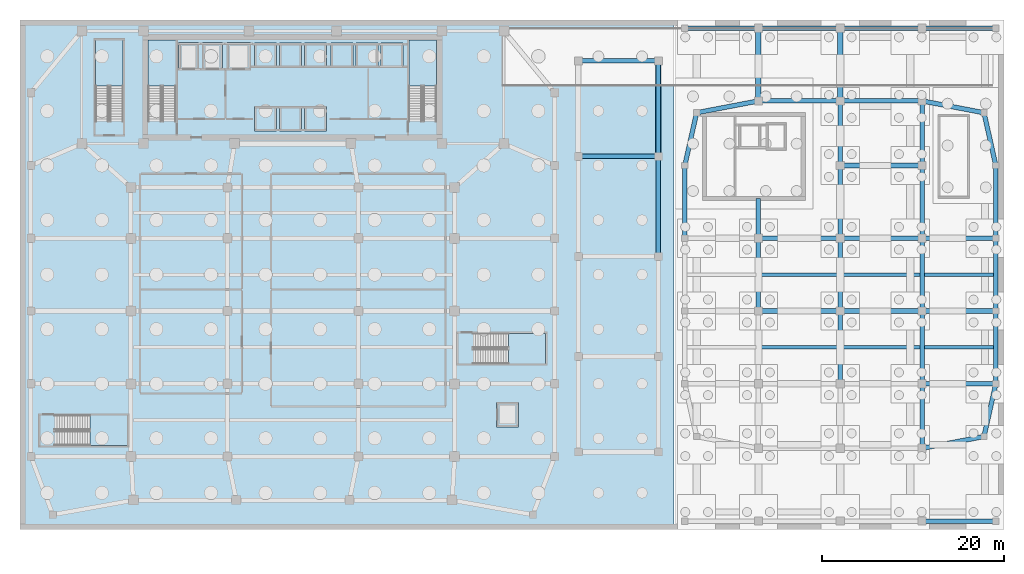
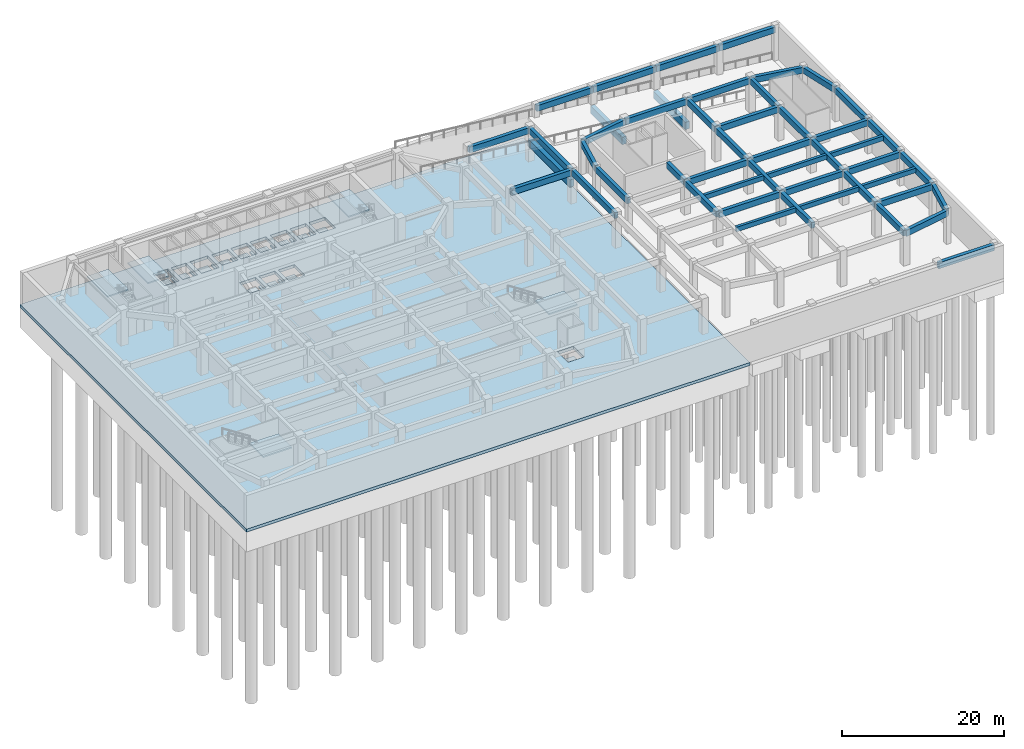
# One storey, part 5 of 18: 49 beams, 19 slabs, 5 elements without a shape of their own.
"""IFC4 building model written with IfcOpenShell, lengths in metres."""

from ifc_helpers import new_model, si_unit, direction, frame, origin, origin_2d, place, context, subcontext, project, spatial, polyline, rectangle, outline, extrude, material, layer, layer_set, material_profile, profile_set, type_object, element, aggregate, save


model = new_model("IFC4")

# Units and contexts
model_context = context("Model", 3, precision=1e-05, world=origin(), true_north=direction((0.0, 1.0)))
body_context = subcontext(model_context, "Body", "Model", "MODEL_VIEW")
ifc_project = project(units=[si_unit("LENGTHUNIT", "METRE"), si_unit("AREAUNIT", "SQUARE_METRE"), si_unit("VOLUMEUNIT", "CUBIC_METRE"), si_unit("PLANEANGLEUNIT", "RADIAN"), si_unit("MASSUNIT", "GRAM", prefix="KILO")], contexts=[model_context])

# Site, building, storey
site_placement = place(None, origin())
site = spatial("IfcSite", under=ifc_project, at=site_placement, CompositionType="ELEMENT")
building_placement = place(site_placement, origin())
building = spatial("IfcBuilding", under=site, at=building_placement, Name="Saevonmaru Cultural Tower", CompositionType="ELEMENT")
storey_placement = place(building_placement, frame((0.0, 0.0, -10.800048828125)))
storey = spatial("IfcBuildingStorey", under=building, at=storey_placement, Name="B2", CompositionType="ELEMENT", Elevation=-10.800048828125)

# Beams
ifc_material_1 = material(Name="Concrete C60/75", Category="concrete")
ifc_material_profile_1 = material_profile(ifc_material_1, rectangle(XDim=0.60009765625, YDim=1.10009765625, at=origin_2d()), Name="RC-CB-600x1100")
ifc_profile_set_1 = profile_set([ifc_material_profile_1], Name="Concrete C60/75")
beam_type_1 = type_object("IfcBeamType", Name="BM-CB-RC600x1100", PredefinedType="LINTEL", material=ifc_profile_set_1)
beam_1_placement = place(storey_placement, frame((70.199951171875, 41.06005859375, 2.780029296875), z_axis=(0.0, 1.0, 0.0), x_axis=(-1.0, 0.0, 0.0)))
element("IfcBeam", 1, at=beam_1_placement, inside=storey, type_object=beam_type_1, Name="B2 Vehicle Ramp VR-2 Transverse Support Girder 2", PredefinedType="LINTEL", context=body_context, shape_type="SweptSolid", body=[
    extrude(rectangle(XDim=0.60009765625, YDim=1.10009765625, at=origin_2d()), origin(), (0.0, 0.0, 1.0), 10.3798828125),
])
for number, where, z_axis, x_axis, name in (
    (2, (81.199951171875, 47.159912109375, 1.679931640625), (0.0, 1.0, 0.0), (-1.0, 0.0, 0.0), "B2 Vehicle Ramp VR-2 Transverse Support Girder 3"),
    (3, (90.199951171875, 47.159912109375, 0.780029296875), (0.0, 1.0, 0.0), (-1.0, 0.0, 0.0), "B2 Vehicle Ramp VR-2 Transverse Support Girder 4"),
):
    element("IfcBeam", number, at=place(storey_placement, frame(where, z_axis=z_axis, x_axis=x_axis)), inside=storey, type_object=beam_type_1, Name=name, PredefinedType="LINTEL", context=body_context, shape_type="SweptSolid", body=[
        extrude(rectangle(XDim=0.60009765625, YDim=1.10009765625, at=origin_2d()), origin(), (0.0, 0.0, 1.0), 7.880126953125),
    ])
ifc_material_2 = material(Name="Concrete C40/50", Category="concrete")
ifc_material_profile_2 = material_profile(ifc_material_2, rectangle(XDim=0.39990234375, YDim=0.699951171875, at=origin_2d()), Name="RC-BM-400x700")
ifc_profile_set_2 = profile_set([ifc_material_profile_2], Name="Concrete C40/50")
beam_type_2 = type_object("IfcBeamType", Name="BM-RC-400x700", PredefinedType="BEAM", material=ifc_profile_set_2)
for number, where, z_axis, x_axis, name in (
    (4, (81.4580078125, 20.0, 4.699951171875), (1.0, 0.0, 0.0), (0.0, 1.0, 0.0), "B2 Library Joist J-2-2"),
    (5, (90.4580078125, 20.0, 4.699951171875), (1.0, 0.0, 0.0), (0.0, 1.0, 0.0), "B2 Library Joist J-2-3"),
):
    element("IfcBeam", number, at=place(storey_placement, frame(where, z_axis=z_axis, x_axis=x_axis)), inside=storey, type_object=beam_type_2, Name=name, PredefinedType="BEAM", context=body_context, shape_type="SweptSolid", body=[
        extrude(rectangle(XDim=0.39990234375, YDim=0.699951171875, at=origin_2d()), origin(), (0.0, 0.0, 1.0), 8.48388671875),
    ])
beam_2_placement = place(storey_placement, frame((99.4580078125, 20.0, 4.699951171875), z_axis=(1.0, 0.0, 0.0), x_axis=(0.0, 1.0, 0.0)))
element("IfcBeam", 6, at=beam_2_placement, inside=storey, type_object=beam_type_2, Name="B2 Library Joist J-2-4", PredefinedType="BEAM", context=body_context, shape_type="SweptSolid", body=[
    extrude(rectangle(XDim=0.39990234375, YDim=0.699951171875, at=origin_2d()), origin(), (0.0, 0.0, 1.0), 7.583984375),
])
for number, where, z_axis, x_axis, name in (
    (7, (81.4580078125, 28.0, 4.699951171875), (1.0, 0.0, 0.0), (0.0, 1.0, 0.0), "B2 Library Joist J-3-2"),
    (8, (90.4580078125, 28.0, 4.699951171875), (1.0, 0.0, 0.0), (0.0, 1.0, 0.0), "B2 Library Joist J-3-3"),
):
    element("IfcBeam", number, at=place(storey_placement, frame(where, z_axis=z_axis, x_axis=x_axis)), inside=storey, type_object=beam_type_2, Name=name, PredefinedType="BEAM", context=body_context, shape_type="SweptSolid", body=[
        extrude(rectangle(XDim=0.39990234375, YDim=0.699951171875, at=origin_2d()), origin(), (0.0, 0.0, 1.0), 8.48388671875),
    ])
beam_3_placement = place(storey_placement, frame((99.4580078125, 28.0, 4.699951171875), z_axis=(1.0, 0.0, 0.0), x_axis=(0.0, 1.0, 0.0)))
element("IfcBeam", 9, at=beam_3_placement, inside=storey, type_object=beam_type_2, Name="B2 Library Joist J-3-4", PredefinedType="BEAM", context=body_context, shape_type="SweptSolid", body=[
    extrude(rectangle(XDim=0.39990234375, YDim=0.699951171875, at=origin_2d()), origin(), (0.0, 0.0, 1.0), 7.583984375),
])
ifc_material_3 = material(Name="Concrete C50/60", Category="concrete")
ifc_material_profile_3 = material_profile(ifc_material_3, rectangle(XDim=0.5, YDim=0.89990234375, at=origin_2d()), Name="RC-BM-500x900")
ifc_profile_set_3 = profile_set([ifc_material_profile_3], Name="Concrete C50/60")
beam_type_3 = type_object("IfcBeamType", Name="BM-RC-500x900", PredefinedType="BEAM", material=ifc_profile_set_3)
beam_4_placement = place(storey_placement, frame((70.199951171875, 30.06005859375, 4.60009765625), z_axis=(0.0, 1.0, 0.0), x_axis=(-1.0, 0.0, 0.0)))
element("IfcBeam", 10, at=beam_4_placement, inside=storey, type_object=beam_type_3, Name="BM-PLZ-NSE-3-B2", PredefinedType="BEAM", context=body_context, shape_type="SweptSolid", body=[
    extrude(rectangle(XDim=0.5, YDim=0.89990234375, at=origin_2d()), origin(), (0.0, 0.0, 1.0), 10.8798828125),
])
beam_5_placement = place(storey_placement, frame((61.4599609375, 41.0, 4.60009765625), z_axis=(1.0, 0.0, 0.0), x_axis=(0.0, 1.0, 0.0)))
element("IfcBeam", 11, at=beam_5_placement, inside=storey, type_object=beam_type_3, Name="BM-PLZ-EW-4-B2", PredefinedType="BEAM", context=body_context, shape_type="SweptSolid", body=[
    extrude(rectangle(XDim=0.5, YDim=0.89990234375, at=origin_2d()), origin(), (0.0, 0.0, 1.0), 8.679931640625),
])
beam_6_placement = place(storey_placement, frame((70.199951171875, 41.06005859375, 4.60009765625), z_axis=(0.0, 1.0, 0.0), x_axis=(-1.0, 0.0, 0.0)))
element("IfcBeam", 12, at=beam_6_placement, inside=storey, type_object=beam_type_3, Name="BM-PLZ-NSE-4-B2", PredefinedType="BEAM", context=body_context, shape_type="SweptSolid", body=[
    extrude(rectangle(XDim=0.5, YDim=0.89990234375, at=origin_2d()), origin(), (0.0, 0.0, 1.0), 10.3798828125),
])
beam_7_placement = place(storey_placement, frame((61.4599609375, 51.5, 4.60009765625), z_axis=(1.0, 0.0, 0.0), x_axis=(0.0, 1.0, 0.0)))
element("IfcBeam", 13, at=beam_7_placement, inside=storey, type_object=beam_type_3, Name="BM-PLZ-EW-5-B2", PredefinedType="BEAM", context=body_context, shape_type="SweptSolid", body=[
    extrude(rectangle(XDim=0.5, YDim=0.89990234375, at=origin_2d()), origin(), (0.0, 0.0, 1.0), 8.679931640625),
])
beam_8_placement = place(storey_placement, frame((99.2587890625, 8.911376953125, 4.60009765625), z_axis=(0.982216489393, 0.187751878722, 0.0), x_axis=(-0.187751878722, 0.982216489393, 0.0)))
element("IfcBeam", 14, at=beam_8_placement, inside=storey, type_object=beam_type_3, Name="B2 Library Girder EW-1-4", PredefinedType="BEAM", context=body_context, shape_type="SweptSolid", body=[
    extrude(rectangle(XDim=0.5, YDim=0.89990234375, at=origin_2d()), origin(), (0.0, 0.0, 1.0), 6.803466796875),
])
beam_9_placement = place(storey_placement, frame((99.260009765625, 16.0, 4.60009765625), z_axis=(1.0, 0.0, 0.0), x_axis=(0.0, 1.0, 0.0)))
element("IfcBeam", 15, at=beam_9_placement, inside=storey, type_object=beam_type_3, Name="B2 Library Girder EW-2-4", PredefinedType="BEAM", context=body_context, shape_type="SweptSolid", body=[
    extrude(rectangle(XDim=0.5, YDim=0.89990234375, at=origin_2d()), origin(), (0.0, 0.0, 1.0), 7.97998046875),
])
for number, where, z_axis, x_axis, name in (
    (16, (81.260009765625, 24.0, 4.60009765625), (1.0, 0.0, 0.0), (0.0, 1.0, 0.0), "B2 Library Girder EW-3-2"),
    (17, (90.260009765625, 24.0, 4.60009765625), (1.0, 0.0, 0.0), (0.0, 1.0, 0.0), "B2 Library Girder EW-3-3"),
):
    element("IfcBeam", number, at=place(storey_placement, frame(where, z_axis=z_axis, x_axis=x_axis)), inside=storey, type_object=beam_type_3, Name=name, PredefinedType="BEAM", context=body_context, shape_type="SweptSolid", body=[
        extrude(rectangle(XDim=0.5, YDim=0.89990234375, at=origin_2d()), origin(), (0.0, 0.0, 1.0), 8.8798828125),
    ])
beam_10_placement = place(storey_placement, frame((99.260009765625, 24.0, 4.60009765625), z_axis=(1.0, 0.0, 0.0), x_axis=(0.0, 1.0, 0.0)))
element("IfcBeam", 18, at=beam_10_placement, inside=storey, type_object=beam_type_3, Name="B2 Library Girder EW-3-4", PredefinedType="BEAM", context=body_context, shape_type="SweptSolid", body=[
    extrude(rectangle(XDim=0.5, YDim=0.89990234375, at=origin_2d()), origin(), (0.0, 0.0, 1.0), 7.97998046875),
])
for number, where, z_axis, x_axis, name in (
    (19, (81.260009765625, 32.0, 4.60009765625), (1.0, 0.0, 0.0), (0.0, 1.0, 0.0), "B2 Library Girder EW-4-2"),
    (20, (90.260009765625, 32.0, 4.60009765625), (1.0, 0.0, 0.0), (0.0, 1.0, 0.0), "B2 Library Girder EW-4-3"),
):
    element("IfcBeam", number, at=place(storey_placement, frame(where, z_axis=z_axis, x_axis=x_axis)), inside=storey, type_object=beam_type_3, Name=name, PredefinedType="BEAM", context=body_context, shape_type="SweptSolid", body=[
        extrude(rectangle(XDim=0.5, YDim=0.89990234375, at=origin_2d()), origin(), (0.0, 0.0, 1.0), 8.8798828125),
    ])
beam_11_placement = place(storey_placement, frame((99.260009765625, 32.0, 4.60009765625), z_axis=(1.0, 0.0, 0.0), x_axis=(0.0, 1.0, 0.0)))
element("IfcBeam", 21, at=beam_11_placement, inside=storey, type_object=beam_type_3, Name="B2 Library Girder EW-4-4", PredefinedType="BEAM", context=body_context, shape_type="SweptSolid", body=[
    extrude(rectangle(XDim=0.5, YDim=0.89990234375, at=origin_2d()), origin(), (0.0, 0.0, 1.0), 7.97998046875),
])
beam_12_placement = place(storey_placement, frame((90.260009765625, 40.0, 4.60009765625), z_axis=(1.0, 0.0, 0.0), x_axis=(0.0, 1.0, 0.0)))
element("IfcBeam", 22, at=beam_12_placement, inside=storey, type_object=beam_type_3, Name="B2 Library Girder EW-5-3", PredefinedType="BEAM", context=body_context, shape_type="SweptSolid", body=[
    extrude(rectangle(XDim=0.5, YDim=0.89990234375, at=origin_2d()), origin(), (0.0, 0.0, 1.0), 8.8798828125),
])
beam_13_placement = place(storey_placement, frame((74.458984375, 45.811279296875, 4.60009765625), z_axis=(0.982215224342, 0.187758496666, 0.0), x_axis=(-0.187758496666, 0.982215224342, 0.0)))
element("IfcBeam", 23, at=beam_13_placement, inside=storey, type_object=beam_type_3, Name="B2 Library Girder EW-6-1", PredefinedType="BEAM", context=body_context, shape_type="SweptSolid", body=[
    extrude(rectangle(XDim=0.5, YDim=0.89990234375, at=origin_2d()), origin(), (0.0, 0.0, 1.0), 6.80322265625),
])
for number, where, z_axis, x_axis, name in (
    (24, (81.260009765625, 47.10009765625, 4.60009765625), (1.0, 0.0, 0.0), (0.0, 1.0, 0.0), "B2 Library Girder EW-6-2"),
    (25, (90.260009765625, 47.10009765625, 4.60009765625), (1.0, 0.0, 0.0), (0.0, 1.0, 0.0), "B2 Library Girder EW-6-3"),
):
    element("IfcBeam", number, at=place(storey_placement, frame(where, z_axis=z_axis, x_axis=x_axis)), inside=storey, type_object=beam_type_3, Name=name, PredefinedType="BEAM", context=body_context, shape_type="SweptSolid", body=[
        extrude(rectangle(XDim=0.5, YDim=0.89990234375, at=origin_2d()), origin(), (0.0, 0.0, 1.0), 8.8798828125),
    ])
beam_14_placement = place(storey_placement, frame((99.2587890625, 47.088623046875, 4.60009765625), z_axis=(0.982216489393, -0.187751878722, 0.0), x_axis=(0.187751878722, 0.982216489393, 0.0)))
element("IfcBeam", 26, at=beam_14_placement, inside=storey, type_object=beam_type_3, Name="B2 Library Girder EW-6-4", PredefinedType="BEAM", context=body_context, shape_type="SweptSolid", body=[
    extrude(rectangle(XDim=0.5, YDim=0.89990234375, at=origin_2d()), origin(), (0.0, 0.0, 1.0), 6.803466796875),
])
beam_15_placement = place(storey_placement, frame((73.10009765625, 32.06005859375, 4.60009765625), z_axis=(0.0, 1.0, 0.0), x_axis=(-1.0, 0.0, 0.0)))
element("IfcBeam", 27, at=beam_15_placement, inside=storey, type_object=beam_type_3, Name="B2 Library Girder NS-1-4", PredefinedType="BEAM", context=body_context, shape_type="SweptSolid", body=[
    extrude(rectangle(XDim=0.5, YDim=0.89990234375, at=origin_2d()), origin(), (0.0, 0.0, 1.0), 7.8798828125),
])
beam_16_placement = place(storey_placement, frame((73.113037109375, 40.05859375, 4.60009765625), z_axis=(0.218741049138, 0.975782943806, 0.0), x_axis=(-0.975782943806, 0.218741049138, 0.0)))
element("IfcBeam", 28, at=beam_16_placement, inside=storey, type_object=beam_type_3, Name="B2 Library Girder NS-1-5", PredefinedType="BEAM", context=body_context, shape_type="SweptSolid", body=[
    extrude(rectangle(XDim=0.5, YDim=0.89990234375, at=origin_2d()), origin(), (0.0, 0.0, 1.0), 5.823974609375),
])
beam_17_placement = place(storey_placement, frame((81.199951171875, 24.06005859375, 4.60009765625), z_axis=(0.0, 1.0, 0.0), x_axis=(-1.0, 0.0, 0.0)))
element("IfcBeam", 29, at=beam_17_placement, inside=storey, type_object=beam_type_3, Name="B2 Library Girder NS-2-3", PredefinedType="BEAM", context=body_context, shape_type="SweptSolid", body=[
    extrude(rectangle(XDim=0.5, YDim=0.89990234375, at=origin_2d()), origin(), (0.0, 0.0, 1.0), 7.8798828125),
])
beam_18_placement = place(storey_placement, frame((81.199951171875, 32.06005859375, 4.60009765625), z_axis=(0.0, 1.0, 0.0), x_axis=(-1.0, 0.0, 0.0)))
element("IfcBeam", 30, at=beam_18_placement, inside=storey, type_object=beam_type_3, Name="B2 Library Core-Bearing Girder NS-2-4", PredefinedType="BEAM", context=body_context, shape_type="SweptSolid", body=[
    extrude(rectangle(XDim=0.5, YDim=0.89990234375, at=origin_2d()), origin(), (0.0, 0.0, 1.0), 4.2900390625),
])
for number, where, z_axis, x_axis, name in (
    (31, (90.199951171875, 16.06005859375, 4.60009765625), (0.0, 1.0, 0.0), (-1.0, 0.0, 0.0), "B2 Library Girder NS-3-2"),
    (32, (90.199951171875, 24.06005859375, 4.60009765625), (0.0, 1.0, 0.0), (-1.0, 0.0, 0.0), "B2 Library Girder NS-3-3"),
    (33, (90.199951171875, 32.06005859375, 4.60009765625), (0.0, 1.0, 0.0), (-1.0, 0.0, 0.0), "B2 Library Girder NS-3-4"),
):
    element("IfcBeam", number, at=place(storey_placement, frame(where, z_axis=z_axis, x_axis=x_axis)), inside=storey, type_object=beam_type_3, Name=name, PredefinedType="BEAM", context=body_context, shape_type="SweptSolid", body=[
        extrude(rectangle(XDim=0.5, YDim=0.89990234375, at=origin_2d()), origin(), (0.0, 0.0, 1.0), 7.8798828125),
    ])
for number, where, z_axis, x_axis, name in (
    (34, (90.199951171875, 40.06005859375, 4.60009765625), (0.0, 1.0, 0.0), (-1.0, 0.0, 0.0), "B2 Library Girder NS-3-5"),
    (35, (99.199951171875, 8.9599609375, 4.60009765625), (0.0, 1.0, 0.0), (-1.0, 0.0, 0.0), "B2 Library Girder NS-4-1"),
):
    element("IfcBeam", number, at=place(storey_placement, frame(where, z_axis=z_axis, x_axis=x_axis)), inside=storey, type_object=beam_type_3, Name=name, PredefinedType="BEAM", context=body_context, shape_type="SweptSolid", body=[
        extrude(rectangle(XDim=0.5, YDim=0.89990234375, at=origin_2d()), origin(), (0.0, 0.0, 1.0), 6.97998046875),
    ])
for number, where, z_axis, x_axis, name in (
    (36, (99.199951171875, 16.06005859375, 4.60009765625), (0.0, 1.0, 0.0), (-1.0, 0.0, 0.0), "B2 Library Girder NS-4-2"),
    (37, (99.199951171875, 24.06005859375, 4.60009765625), (0.0, 1.0, 0.0), (-1.0, 0.0, 0.0), "B2 Library Girder NS-4-3"),
    (38, (99.199951171875, 32.06005859375, 4.60009765625), (0.0, 1.0, 0.0), (-1.0, 0.0, 0.0), "B2 Library Girder NS-4-4"),
):
    element("IfcBeam", number, at=place(storey_placement, frame(where, z_axis=z_axis, x_axis=x_axis)), inside=storey, type_object=beam_type_3, Name=name, PredefinedType="BEAM", context=body_context, shape_type="SweptSolid", body=[
        extrude(rectangle(XDim=0.5, YDim=0.89990234375, at=origin_2d()), origin(), (0.0, 0.0, 1.0), 7.8798828125),
    ])
beam_19_placement = place(storey_placement, frame((99.199951171875, 40.06005859375, 4.60009765625), z_axis=(0.0, 1.0, 0.0), x_axis=(-1.0, 0.0, 0.0)))
element("IfcBeam", 39, at=beam_19_placement, inside=storey, type_object=beam_type_3, Name="B2 Library Girder NS-4-5", PredefinedType="BEAM", context=body_context, shape_type="SweptSolid", body=[
    extrude(rectangle(XDim=0.5, YDim=0.89990234375, at=origin_2d()), origin(), (0.0, 0.0, 1.0), 6.97998046875),
])
beam_20_placement = place(storey_placement, frame((106.01318359375, 10.258544921875, 4.60009765625), z_axis=(0.218701133908, 0.975791890737, 0.0), x_axis=(-0.975791890737, 0.218701133908, 0.0)))
element("IfcBeam", 40, at=beam_20_placement, inside=storey, type_object=beam_type_3, Name="B2 Library Girder NS-5-1", PredefinedType="BEAM", context=body_context, shape_type="SweptSolid", body=[
    extrude(rectangle(XDim=0.5, YDim=0.89990234375, at=origin_2d()), origin(), (0.0, 0.0, 1.0), 5.82373046875),
])
for number, where, z_axis, x_axis, name in (
    (41, (107.300048828125, 16.06005859375, 4.60009765625), (0.0, 1.0, 0.0), (-1.0, 0.0, 0.0), "B2 Library Girder NS-5-2"),
    (42, (107.300048828125, 24.06005859375, 4.60009765625), (0.0, 1.0, 0.0), (-1.0, 0.0, 0.0), "B2 Library Girder NS-5-3"),
    (43, (107.300048828125, 32.06005859375, 4.60009765625), (0.0, 1.0, 0.0), (-1.0, 0.0, 0.0), "B2 Library Girder NS-5-4"),
):
    element("IfcBeam", number, at=place(storey_placement, frame(where, z_axis=z_axis, x_axis=x_axis)), inside=storey, type_object=beam_type_3, Name=name, PredefinedType="BEAM", context=body_context, shape_type="SweptSolid", body=[
        extrude(rectangle(XDim=0.5, YDim=0.89990234375, at=origin_2d()), origin(), (0.0, 0.0, 1.0), 7.8798828125),
    ])
beam_21_placement = place(storey_placement, frame((107.286865234375, 40.05859375, 4.60009765625), z_axis=(-0.218701133908, 0.975791890737, 0.0), x_axis=(-0.975791890737, -0.218701133908, 0.0)))
element("IfcBeam", 44, at=beam_21_placement, inside=storey, type_object=beam_type_3, Name="B2 Library Girder NS-5-5", PredefinedType="BEAM", context=body_context, shape_type="SweptSolid", body=[
    extrude(rectangle(XDim=0.5, YDim=0.89990234375, at=origin_2d()), origin(), (0.0, 0.0, 1.0), 5.82373046875),
])
beam_22_placement = place(storey_placement, frame((73.159912109375, 55.10009765625, 4.60009765625), z_axis=(1.0, 0.0, 0.0), x_axis=(0.0, 1.0, 0.0)))
element("IfcBeam", 45, at=beam_22_placement, inside=storey, type_object=beam_type_3, Name="BM-BS-N-1-B2", PredefinedType="BEAM", context=body_context, shape_type="SweptSolid", body=[
    extrude(rectangle(XDim=0.5, YDim=0.89990234375, at=origin_2d()), origin(), (0.0, 0.0, 1.0), 7.97998046875),
])
for number, where, z_axis, x_axis, name in (
    (46, (81.260009765625, 55.10009765625, 4.60009765625), (1.0, 0.0, 0.0), (0.0, 1.0, 0.0), "BM-BS-N-2-B2"),
    (47, (90.260009765625, 55.10009765625, 4.60009765625), (1.0, 0.0, 0.0), (0.0, 1.0, 0.0), "BM-BS-N-3-B2"),
):
    element("IfcBeam", number, at=place(storey_placement, frame(where, z_axis=z_axis, x_axis=x_axis)), inside=storey, type_object=beam_type_3, Name=name, PredefinedType="BEAM", context=body_context, shape_type="SweptSolid", body=[
        extrude(rectangle(XDim=0.5, YDim=0.89990234375, at=origin_2d()), origin(), (0.0, 0.0, 1.0), 8.8798828125),
    ])
for number, where, z_axis, x_axis, name in (
    (48, (99.260009765625, 0.89990234375, 4.60009765625), (1.0, 0.0, 0.0), (0.0, 1.0, 0.0), "BM-BS-S-4-B2"),
    (49, (99.260009765625, 55.10009765625, 4.60009765625), (1.0, 0.0, 0.0), (0.0, 1.0, 0.0), "BM-BS-N-4-B2"),
):
    element("IfcBeam", number, at=place(storey_placement, frame(where, z_axis=z_axis, x_axis=x_axis)), inside=storey, type_object=beam_type_3, Name=name, PredefinedType="BEAM", context=body_context, shape_type="SweptSolid", body=[
        extrude(rectangle(XDim=0.5, YDim=0.89990234375, at=origin_2d()), origin(), (0.0, 0.0, 1.0), 7.97998046875),
    ])

# Slabs
ifc_layer_1 = layer(ifc_material_3, 0.449951171875, Name="Concrete C50/60")
ifc_layer_set_1 = layer_set([ifc_layer_1], Name="Concrete C50/60")
slab_type_1 = type_object("IfcSlabType", Name="SL-BASE-450", PredefinedType="BASESLAB", material=ifc_layer_set_1)
slab_1_placement = place(storey_placement, frame((0.0, 0.0, -0.449951171875)))
element("IfcSlab", 50, at=slab_1_placement, inside=storey, type_object=slab_type_1, Name="B2 Tower and Station Base Slab", PredefinedType="BASESLAB", context=body_context, shape_type="SweptSolid", body=[
    extrude(outline(polyline([(0.0, 0.0), (71.89990234375, 0.0), (71.89990234375, 56.0), (0.0, 56.0), (0.0, 0.0)]), holes=[polyline([(52.449951171875, 11.300048828125), (52.449951171875, 13.89990234375), (54.75, 13.89990234375), (54.75, 11.300048828125), (52.449951171875, 11.300048828125)]), polyline([(39.75, 50.800048828125), (39.75, 53.39990234375), (42.050048828125, 53.39990234375), (42.050048828125, 50.800048828125), (39.75, 50.800048828125)]), polyline([(37.0, 50.800048828125), (37.0, 53.39990234375), (39.300048828125, 53.39990234375), (39.300048828125, 50.800048828125), (37.0, 50.800048828125)]), polyline([(34.25, 50.800048828125), (34.25, 53.39990234375), (36.550048828125, 53.39990234375), (36.550048828125, 50.800048828125), (34.25, 50.800048828125)]), polyline([(31.35009765625, 43.85009765625), (31.35009765625, 46.449951171875), (33.64990234375, 46.449951171875), (33.64990234375, 43.85009765625), (31.35009765625, 43.85009765625)]), polyline([(31.35009765625, 50.800048828125), (31.35009765625, 53.39990234375), (33.64990234375, 53.39990234375), (33.64990234375, 50.800048828125), (31.35009765625, 50.800048828125)]), polyline([(28.60009765625, 43.85009765625), (28.60009765625, 46.449951171875), (30.89990234375, 46.449951171875), (30.89990234375, 43.85009765625), (28.60009765625, 43.85009765625)]), polyline([(30.89990234375, 50.800048828125), (28.60009765625, 50.800048828125), (28.60009765625, 53.39990234375), (30.89990234375, 53.39990234375), (30.89990234375, 50.800048828125)]), polyline([(28.14990234375, 43.85009765625), (25.85009765625, 43.85009765625), (25.85009765625, 46.449951171875), (28.14990234375, 46.449951171875), (28.14990234375, 43.85009765625)]), polyline([(25.85009765625, 50.800048828125), (25.85009765625, 53.39990234375), (28.14990234375, 53.39990234375), (28.14990234375, 50.800048828125), (25.85009765625, 50.800048828125)]), polyline([(22.800048828125, 50.550048828125), (22.800048828125, 53.449951171875), (25.300048828125, 53.449951171875), (25.300048828125, 50.550048828125), (22.800048828125, 50.550048828125)]), polyline([(22.199951171875, 50.550048828125), (20.10009765625, 50.550048828125), (20.10009765625, 53.449951171875), (22.199951171875, 53.449951171875), (22.199951171875, 50.550048828125)]), polyline([(17.5, 50.550048828125), (17.5, 53.449951171875), (19.60009765625, 53.449951171875), (19.60009765625, 50.550048828125), (17.5, 50.550048828125)])]), origin(), (0.0, 0.0, 1.0), 0.449951171875),
])
ifc_layer_2 = layer(ifc_material_2, 0.219970703125, Name="Concrete C40/50")
ifc_layer_set_2 = layer_set([ifc_layer_2], Name="Concrete C40/50")
slab_type_2 = type_object("IfcSlabType", Name="SL-SHAFT-220", PredefinedType="FLOOR", material=ifc_layer_set_2)
slab_2_placement = place(storey_placement, frame((0.0, 0.0, -1.699951171875)))
element("IfcSlab", 51, at=slab_2_placement, inside=storey, type_object=slab_type_2, Name="Lift FFL-1 Shaft Pit Base Slab", PredefinedType="FLOOR", context=body_context, shape_type="SweptSolid", body=[
    extrude(outline(polyline([(17.449951171875, 50.5), (19.64990234375, 50.5), (19.64990234375, 53.5), (17.449951171875, 53.5), (17.449951171875, 50.5)])), origin(), (0.0, 0.0, 1.0), 0.219970703125),
])
slab_3_placement = place(storey_placement, frame((0.0, 0.0, -1.699951171875)))
element("IfcSlab", 52, at=slab_3_placement, inside=storey, type_object=slab_type_2, Name="Lift FFL-2 Shaft Pit Base Slab", PredefinedType="FLOOR", context=body_context, shape_type="SweptSolid", body=[
    extrude(outline(polyline([(20.050048828125, 50.5), (22.25, 50.5), (22.25, 53.5), (20.050048828125, 53.5), (20.050048828125, 50.5)])), origin(), (0.0, 0.0, 1.0), 0.219970703125),
])
slab_4_placement = place(storey_placement, frame((0.0, 0.0, -1.699951171875)))
element("IfcSlab", 53, at=slab_4_placement, inside=storey, type_object=slab_type_2, Name="Lift GL-1 Shaft Pit Base Slab", PredefinedType="FLOOR", context=body_context, shape_type="SweptSolid", body=[
    extrude(outline(polyline([(22.75, 50.5), (25.35009765625, 50.5), (25.35009765625, 53.5), (22.75, 53.5), (22.75, 50.5)])), origin(), (0.0, 0.0, 1.0), 0.219970703125),
])
slab_5_placement = place(storey_placement, frame((0.0, 0.0, -1.699951171875)))
element("IfcSlab", 54, at=slab_5_placement, inside=storey, type_object=slab_type_2, Name="Lift PL-L1 Shaft Pit Base Slab", PredefinedType="FLOOR", context=body_context, shape_type="SweptSolid", body=[
    extrude(outline(polyline([(25.800048828125, 50.75), (28.199951171875, 50.75), (28.199951171875, 53.449951171875), (25.800048828125, 53.449951171875), (25.800048828125, 50.75)])), origin(), (0.0, 0.0, 1.0), 0.219970703125),
])
slab_6_placement = place(storey_placement, frame((0.0, 0.0, -1.699951171875)))
element("IfcSlab", 55, at=slab_6_placement, inside=storey, type_object=slab_type_2, Name="Lift PL-L2 Shaft Pit Base Slab", PredefinedType="FLOOR", context=body_context, shape_type="SweptSolid", body=[
    extrude(outline(polyline([(28.550048828125, 50.75), (30.949951171875, 50.75), (30.949951171875, 53.449951171875), (28.550048828125, 53.449951171875), (28.550048828125, 50.75)])), origin(), (0.0, 0.0, 1.0), 0.219970703125),
])
slab_7_placement = place(storey_placement, frame((0.0, 0.0, -1.699951171875)))
element("IfcSlab", 56, at=slab_7_placement, inside=storey, type_object=slab_type_2, Name="Lift PL-L3 Shaft Pit Base Slab", PredefinedType="FLOOR", context=body_context, shape_type="SweptSolid", body=[
    extrude(outline(polyline([(31.300048828125, 50.75), (33.699951171875, 50.75), (33.699951171875, 53.449951171875), (31.300048828125, 53.449951171875), (31.300048828125, 50.75)])), origin(), (0.0, 0.0, 1.0), 0.219970703125),
])
slab_8_placement = place(storey_placement, frame((0.0, 0.0, -1.699951171875)))
element("IfcSlab", 57, at=slab_8_placement, inside=storey, type_object=slab_type_2, Name="Lift PL-M1 Shaft Pit Base Slab", PredefinedType="FLOOR", context=body_context, shape_type="SweptSolid", body=[
    extrude(outline(polyline([(25.800048828125, 43.800048828125), (28.199951171875, 43.800048828125), (28.199951171875, 46.5), (25.800048828125, 46.5), (25.800048828125, 43.800048828125)])), origin(), (0.0, 0.0, 1.0), 0.219970703125),
])
slab_9_placement = place(storey_placement, frame((0.0, 0.0, -1.699951171875)))
element("IfcSlab", 58, at=slab_9_placement, inside=storey, type_object=slab_type_2, Name="Lift PL-M2 Shaft Pit Base Slab", PredefinedType="FLOOR", context=body_context, shape_type="SweptSolid", body=[
    extrude(outline(polyline([(28.550048828125, 43.800048828125), (30.949951171875, 43.800048828125), (30.949951171875, 46.5), (28.550048828125, 46.5), (28.550048828125, 43.800048828125)])), origin(), (0.0, 0.0, 1.0), 0.219970703125),
])
slab_10_placement = place(storey_placement, frame((0.0, 0.0, -1.699951171875)))
element("IfcSlab", 59, at=slab_10_placement, inside=storey, type_object=slab_type_2, Name="Lift PL-M3 Shaft Pit Base Slab", PredefinedType="FLOOR", context=body_context, shape_type="SweptSolid", body=[
    extrude(outline(polyline([(31.300048828125, 43.800048828125), (33.699951171875, 43.800048828125), (33.699951171875, 46.5), (31.300048828125, 46.5), (31.300048828125, 43.800048828125)])), origin(), (0.0, 0.0, 1.0), 0.219970703125),
])
slab_11_placement = place(storey_placement, frame((0.0, 0.0, -1.699951171875)))
element("IfcSlab", 60, at=slab_11_placement, inside=storey, type_object=slab_type_2, Name="Lift PL-H1 Shaft Pit Base Slab", PredefinedType="FLOOR", context=body_context, shape_type="SweptSolid", body=[
    extrude(outline(polyline([(34.199951171875, 50.75), (36.60009765625, 50.75), (36.60009765625, 53.449951171875), (34.199951171875, 53.449951171875), (34.199951171875, 50.75)])), origin(), (0.0, 0.0, 1.0), 0.219970703125),
])
slab_12_placement = place(storey_placement, frame((0.0, 0.0, -1.699951171875)))
element("IfcSlab", 61, at=slab_12_placement, inside=storey, type_object=slab_type_2, Name="Lift PL-H2 Shaft Pit Base Slab", PredefinedType="FLOOR", context=body_context, shape_type="SweptSolid", body=[
    extrude(outline(polyline([(36.949951171875, 50.75), (39.35009765625, 50.75), (39.35009765625, 53.449951171875), (36.949951171875, 53.449951171875), (36.949951171875, 50.75)])), origin(), (0.0, 0.0, 1.0), 0.219970703125),
])
slab_13_placement = place(storey_placement, frame((0.0, 0.0, -1.699951171875)))
element("IfcSlab", 62, at=slab_13_placement, inside=storey, type_object=slab_type_2, Name="Lift PL-H3 Shaft Pit Base Slab", PredefinedType="FLOOR", context=body_context, shape_type="SweptSolid", body=[
    extrude(outline(polyline([(39.699951171875, 50.75), (42.10009765625, 50.75), (42.10009765625, 53.449951171875), (39.699951171875, 53.449951171875), (39.699951171875, 50.75)])), origin(), (0.0, 0.0, 1.0), 0.219970703125),
])
slab_14_placement = place(storey_placement, frame((0.0, 0.0, -1.699951171875)))
element("IfcSlab", 63, at=slab_14_placement, inside=storey, type_object=slab_type_2, Name="Lift SLF-1 Shaft Pit Base Slab", PredefinedType="FLOOR", context=body_context, shape_type="SweptSolid", body=[
    extrude(outline(polyline([(52.39990234375, 11.25), (54.800048828125, 11.25), (54.800048828125, 13.949951171875), (52.39990234375, 13.949951171875), (52.39990234375, 11.25)])), origin(), (0.0, 0.0, 1.0), 0.219970703125),
])

# Stair, slab
stair_type_1 = type_object("IfcStairType", Name="STR-DOGLEG-RC-1600", PredefinedType="HALF_TURN_STAIR", material=ifc_material_2)
stair_1_placement = place(storey_placement, origin())
stair_1 = element("IfcStair", 64, at=stair_1_placement, inside=storey, type_object=stair_type_1, Name="B2 Protected exit stair SST-1", PredefinedType="HALF_TURN_STAIR")
ifc_layer_3 = layer(ifc_material_2, 0.199951171875, Name="Concrete C40/50")
ifc_layer_set_3 = layer_set([ifc_layer_3], Name="Concrete C40/50")
slab_type_3 = type_object("IfcSlabType", Name="SL-STAIR-LANDING", PredefinedType="LANDING", material=ifc_layer_set_3)
slab_15_placement = place(storey_placement, frame((0.0, 0.0, 2.5)))
slab_15 = element("IfcSlab", 65, at=slab_15_placement, type_object=slab_type_3, Name="SST-1-B2 landing 1", PredefinedType="LANDING", context=body_context, shape_type="SweptSolid", body=[
    extrude(outline(polyline([(7.719970703125, 9.199951171875), (11.800048828125, 9.199951171875), (11.800048828125, 12.550048828125), (7.719970703125, 12.550048828125), (7.719970703125, 9.199951171875)])), origin(), (0.0, 0.0, 1.0), 0.199951171875),
])
aggregate(stair_1, [slab_15])

stair_2_placement = place(storey_placement, origin())
stair_2 = element("IfcStair", 66, at=stair_2_placement, inside=storey, type_object=stair_type_1, Name="B2 Protected exit stair SST-2", PredefinedType="HALF_TURN_STAIR")
slab_16_placement = place(storey_placement, frame((0.0, 0.0, 2.5)))
slab_16 = element("IfcSlab", 67, at=slab_16_placement, type_object=slab_type_3, Name="SST-2-B2 landing 1", PredefinedType="LANDING", context=body_context, shape_type="SweptSolid", body=[
    extrude(outline(polyline([(53.719970703125, 18.199951171875), (57.800048828125, 18.199951171875), (57.800048828125, 21.550048828125), (53.719970703125, 21.550048828125), (53.719970703125, 18.199951171875)])), origin(), (0.0, 0.0, 1.0), 0.199951171875),
])
aggregate(stair_2, [slab_16])

stair_type_2 = type_object("IfcStairType", Name="STR-DOGLEG-RC", PredefinedType="HALF_TURN_STAIR", material=ifc_material_2)
stair_3_placement = place(storey_placement, origin())
stair_3 = element("IfcStair", 68, at=stair_3_placement, inside=storey, type_object=stair_type_2, Name="B2 Protected exit stair ST-1", PredefinedType="HALF_TURN_STAIR")
slab_17_placement = place(storey_placement, frame((0.0, 0.0, 2.5)))
slab_17 = element("IfcSlab", 69, at=slab_17_placement, type_object=slab_type_3, Name="ST-1-B2 landing 1", PredefinedType="LANDING", context=body_context, shape_type="SweptSolid", body=[
    extrude(outline(polyline([(17.14990234375, 48.77001953125), (17.14990234375, 53.800048828125), (14.10009765625, 53.800048828125), (14.10009765625, 48.77001953125), (17.14990234375, 48.77001953125)])), origin(), (0.0, 0.0, 1.0), 0.199951171875),
])
aggregate(stair_3, [slab_17])

stair_4_placement = place(storey_placement, origin())
stair_4 = element("IfcStair", 70, at=stair_4_placement, inside=storey, type_object=stair_type_2, Name="B2 Protected exit stair ST-2", PredefinedType="HALF_TURN_STAIR")
slab_18_placement = place(storey_placement, frame((0.0, 0.0, 2.5)))
slab_18 = element("IfcSlab", 71, at=slab_18_placement, type_object=slab_type_3, Name="ST-2-B2 landing 1", PredefinedType="LANDING", context=body_context, shape_type="SweptSolid", body=[
    extrude(outline(polyline([(45.800048828125, 48.77001953125), (45.800048828125, 53.800048828125), (42.75, 53.800048828125), (42.75, 48.77001953125), (45.800048828125, 48.77001953125)])), origin(), (0.0, 0.0, 1.0), 0.199951171875),
])
aggregate(stair_4, [slab_18])

stair_5_placement = place(storey_placement, origin())
stair_5 = element("IfcStair", 72, at=stair_5_placement, inside=storey, type_object=stair_type_2, Name="B2 Protected exit stair ST-3", PredefinedType="HALF_TURN_STAIR")
slab_19_placement = place(storey_placement, frame((0.0, 0.0, 2.5)))
slab_19 = element("IfcSlab", 73, at=slab_19_placement, type_object=slab_type_3, Name="ST-3-B2 landing 1", PredefinedType="LANDING", context=body_context, shape_type="SweptSolid", body=[
    extrude(outline(polyline([(11.35009765625, 48.77001953125), (11.35009765625, 53.800048828125), (8.300048828125, 53.800048828125), (8.300048828125, 48.77001953125), (11.35009765625, 48.77001953125)])), origin(), (0.0, 0.0, 1.0), 0.199951171875),
])
aggregate(stair_5, [slab_19])

save(model, "model.ifc")
